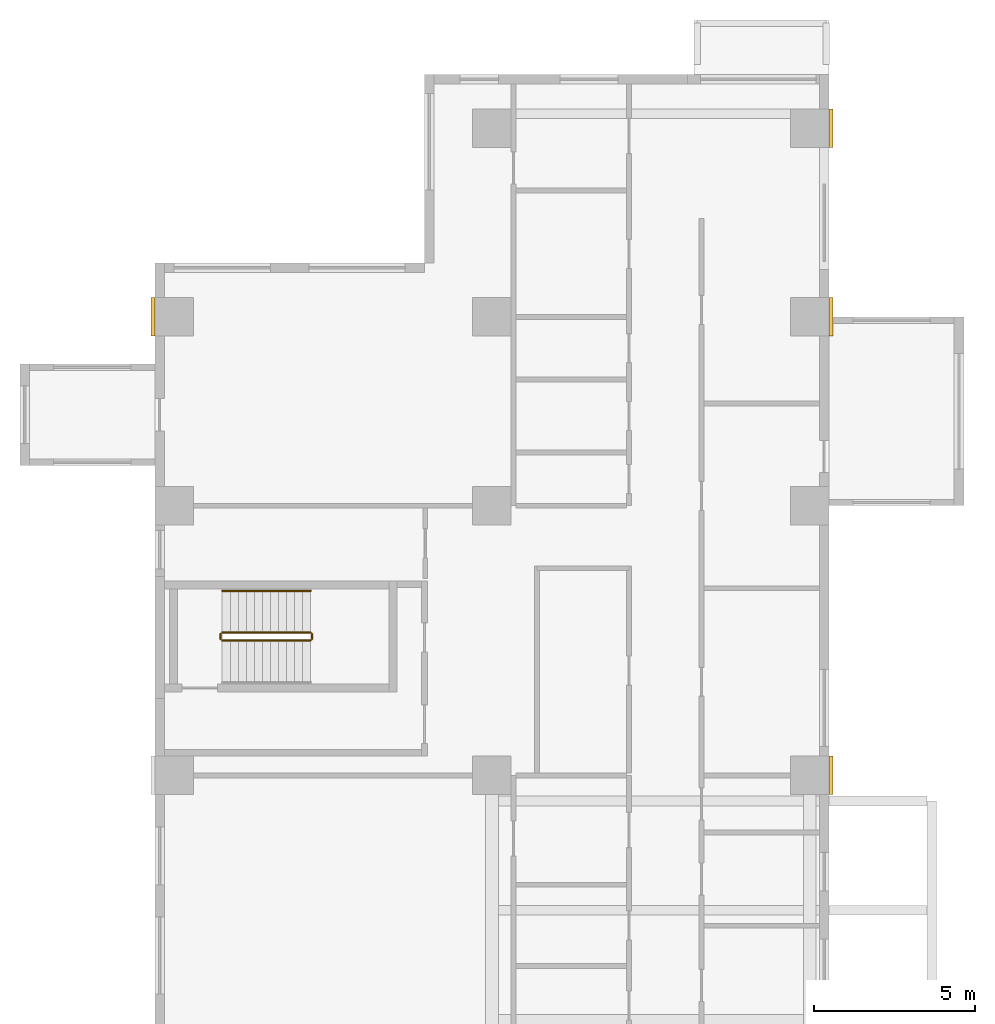
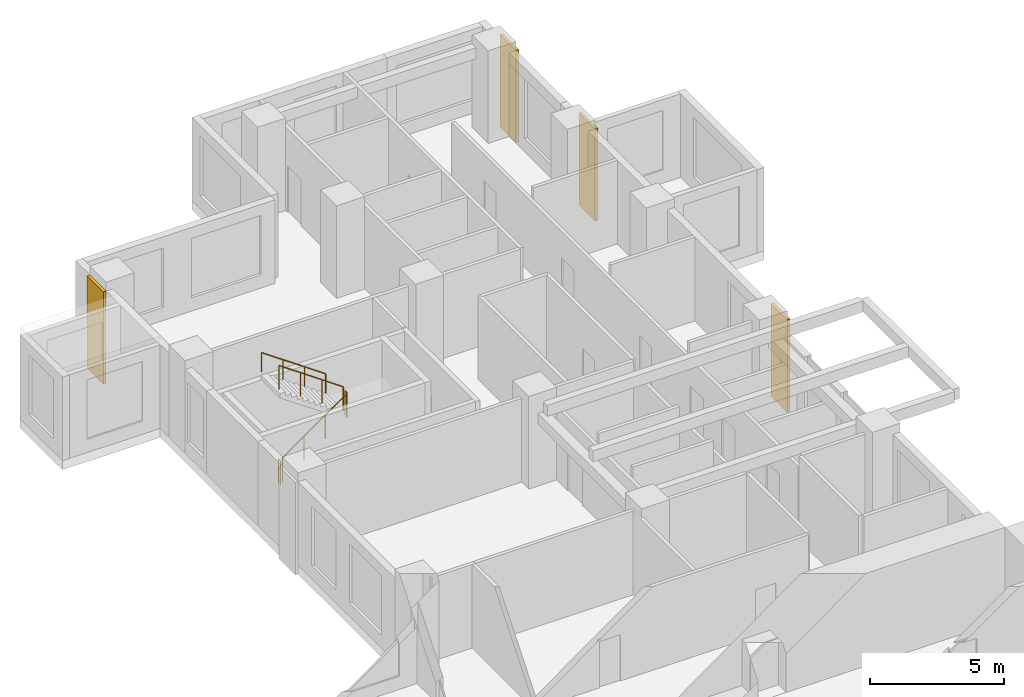
# One storey, part 14 of 14: 5 railings, 4 coverings.
"""IFC4 building model written with IfcOpenShell, lengths in metres."""

from ifc_helpers import new_model, si_unit, direction, frame, origin, origin_2d, place, context, subcontext, project, spatial, rectangle, circle, extrude, source, transform, mapped, material, type_object, element, save


model = new_model("IFC4")

# Units and contexts
model_context = context("Model", 3, precision=1e-05, world=origin(), true_north=direction((0.0, 1.0)))
body_context = subcontext(model_context, "Body", "Model", "MODEL_VIEW")
ifc_project = project(units=[si_unit("LENGTHUNIT", "METRE"), si_unit("AREAUNIT", "SQUARE_METRE"), si_unit("VOLUMEUNIT", "CUBIC_METRE"), si_unit("PLANEANGLEUNIT", "RADIAN"), si_unit("MASSUNIT", "GRAM", prefix="KILO")], contexts=[model_context])

# Site, building, storey
site_placement = place(None, origin())
site = spatial("IfcSite", under=ifc_project, at=site_placement, CompositionType="ELEMENT")
building_placement = place(site_placement, origin())
building = spatial("IfcBuilding", under=site, at=building_placement, Name="Aurelian Terraces", CompositionType="ELEMENT")
storey_placement = place(building_placement, frame((0.0, 0.0, 86.7)))
storey = spatial("IfcBuildingStorey", under=building, at=storey_placement, Name="L18", CompositionType="ELEMENT", Elevation=86.7)

# Coverings
ifc_material_1 = material(Name="Terracotta rainscreen cladding relief", Category="masonry")
covering_type = type_object("IfcCoveringType", Name="BAGUETTE-TC", PredefinedType="CLADDING", material=ifc_material_1)
shared_shape_1 = source(origin(), body_context, "Body", "SweptSolid", [
    extrude(rectangle(XDim=0.12, YDim=1.2, at=origin_2d()), origin(), (0.0, 0.0, 1.0), 4.2),
])
for number, where, z_axis, x_axis, name in (
    (1, (21.06, 37.8, -0.4), (0.0, 0.0, 1.0), (1.0, 0.0, 0.0), "BAGUETTE pier L18 11"),
    (2, (-0.06, 52.08, -0.4), (0.0, 0.0, 1.0), (1.0, 0.0, 0.0), "BAGUETTE pier L18 12"),
    (3, (21.06, 52.08, -0.4), (0.0, 0.0, 1.0), (1.0, 0.0, 0.0), "BAGUETTE pier L18 13"),
    (4, (21.06, 57.96, -0.4), (0.0, 0.0, 1.0), (1.0, 0.0, 0.0), "BAGUETTE pier L18 14"),
):
    element("IfcCovering", number, at=place(storey_placement, frame(where, z_axis=z_axis, x_axis=x_axis)), inside=storey, type_object=covering_type, Name=name, PredefinedType="CLADDING", context=body_context, shape_type="MappedRepresentation", body=[
        mapped(shared_shape_1, transform((0.0, 0.0, 0.0), scale=1.0)),
    ])

# Railings
ifc_material_2 = material(Name="Stainless steel", Category="steel")
railing_type_1 = type_object("IfcRailingType", Name="Stair guard 1100", PredefinedType="GUARDRAIL", material=ifc_material_2)
shared_shape_2 = source(origin(), body_context, "Body", "SweptSolid", [
    extrude(circle(Radius=0.024, at=origin_2d()), frame((0.0, 0.0, 1.076), z_axis=(0.0, 1.0, 0.0), x_axis=(-1.0, 0.0, 0.0)), (0.0, 0.0, 1.0), 0.15),
    extrude(circle(Radius=0.021, at=origin_2d()), origin(), (0.0, 0.0, 1.0), 1.052),
    extrude(circle(Radius=0.021, at=origin_2d()), frame((0.0, 0.15, 0.0)), (0.0, 0.0, 1.0), 1.052),
])
for number, where, name in (
    (5, (4.9, 42.05, 2.1), "L18 S3 stair guard 2"),
    (6, (2.05, 42.05, 0.0), "L18 S3 stair guard 4"),
):
    element("IfcRailing", number, at=place(storey_placement, frame(where)), inside=storey, type_object=railing_type_1, Name=name, PredefinedType="GUARDRAIL", context=body_context, shape_type="MappedRepresentation", body=[
        mapped(shared_shape_2, transform((0.0, 0.0, 0.0), scale=1.0)),
    ])
shared_shape_3 = source(origin(), body_context, "Body", "SweptSolid", [
    extrude(circle(Radius=0.024, at=origin_2d()), frame((0.0, 0.0, 1.076), z_axis=(0.819231920519, 0.0, 0.573462344363), x_axis=(0.0, 1.0, 0.0)), (0.0, 0.0, 1.0), 3.3568),
    extrude(circle(Radius=0.021, at=origin_2d()), origin(), (0.0, 0.0, 1.0), 1.052),
    extrude(circle(Radius=0.021, at=origin_2d()), frame((0.9167, 0.0, 0.6417)), (0.0, 0.0, 1.0), 1.052),
    extrude(circle(Radius=0.021, at=origin_2d()), frame((1.8333, 0.0, 1.2833)), (0.0, 0.0, 1.0), 1.052),
    extrude(circle(Radius=0.021, at=origin_2d()), frame((2.75, 0.0, 1.925)), (0.0, 0.0, 1.0), 1.052),
])
railing_1_placement = place(storey_placement, frame((2.1, 42.0, 0.175)))
element("IfcRailing", 7, at=railing_1_placement, inside=storey, type_object=railing_type_1, Name="L18 S3 stair guard 1", PredefinedType="GUARDRAIL", context=body_context, shape_type="MappedRepresentation", body=[
    mapped(shared_shape_3, transform((0.0, 0.0, 0.0), scale=1.0)),
])
shared_shape_4 = source(origin(), body_context, "Body", "SweptSolid", [
    extrude(circle(Radius=0.024, at=origin_2d()), frame((0.0, 0.0, 1.076), z_axis=(-0.819231920519, 0.0, 0.573462344363), x_axis=(0.0, -1.0, 0.0)), (0.0, 0.0, 1.0), 3.3568),
    extrude(circle(Radius=0.021, at=origin_2d()), origin(), (0.0, 0.0, 1.0), 1.052),
    extrude(circle(Radius=0.021, at=origin_2d()), frame((-0.9167, 0.0, 0.6417)), (0.0, 0.0, 1.0), 1.052),
    extrude(circle(Radius=0.021, at=origin_2d()), frame((-1.8333, 0.0, 1.2833)), (0.0, 0.0, 1.0), 1.052),
    extrude(circle(Radius=0.021, at=origin_2d()), frame((-2.75, 0.0, 1.925)), (0.0, 0.0, 1.0), 1.052),
])
railing_2_placement = place(storey_placement, frame((4.85, 42.25, 2.275)))
element("IfcRailing", 8, at=railing_2_placement, inside=storey, type_object=railing_type_1, Name="L18 S3 stair guard 3", PredefinedType="GUARDRAIL", context=body_context, shape_type="MappedRepresentation", body=[
    mapped(shared_shape_4, transform((0.0, 0.0, 0.0), scale=1.0)),
])
railing_type_2 = type_object("IfcRailingType", Name="Stair handrail", PredefinedType="HANDRAIL", material=ifc_material_2)
shared_shape_5 = source(origin(), body_context, "Body", "SweptSolid", [
    extrude(circle(Radius=0.024, at=origin_2d()), frame((0.0, 0.0, 0.876), z_axis=(-0.819231920519, 0.0, 0.573462344363), x_axis=(0.0, -1.0, 0.0)), (0.0, 0.0, 1.0), 3.3568),
    extrude(circle(Radius=0.021, at=origin_2d()), origin(), (0.0, 0.0, 1.0), 0.852),
    extrude(circle(Radius=0.021, at=origin_2d()), frame((-0.9167, 0.0, 0.6417)), (0.0, 0.0, 1.0), 0.852),
    extrude(circle(Radius=0.021, at=origin_2d()), frame((-1.8333, 0.0, 1.2833)), (0.0, 0.0, 1.0), 0.852),
    extrude(circle(Radius=0.021, at=origin_2d()), frame((-2.75, 0.0, 1.925)), (0.0, 0.0, 1.0), 0.852),
])
railing_3_placement = place(storey_placement, frame((4.85, 43.55, 2.275)))
element("IfcRailing", 9, at=railing_3_placement, inside=storey, type_object=railing_type_2, Name="L18 S3 stair handrail 2", PredefinedType="HANDRAIL", context=body_context, shape_type="MappedRepresentation", body=[
    mapped(shared_shape_5, transform((0.0, 0.0, 0.0), scale=1.0)),
])

save(model, "model.ifc")
